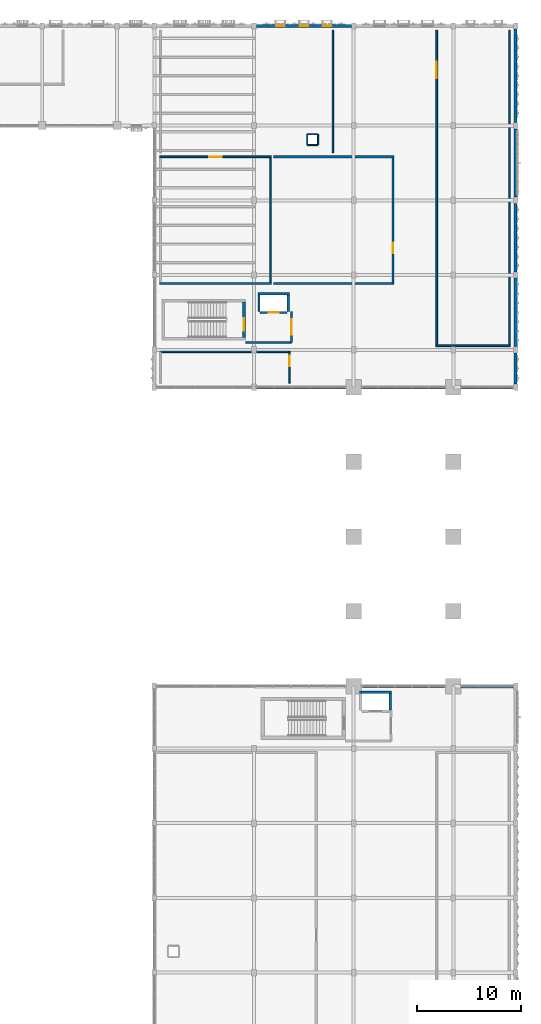
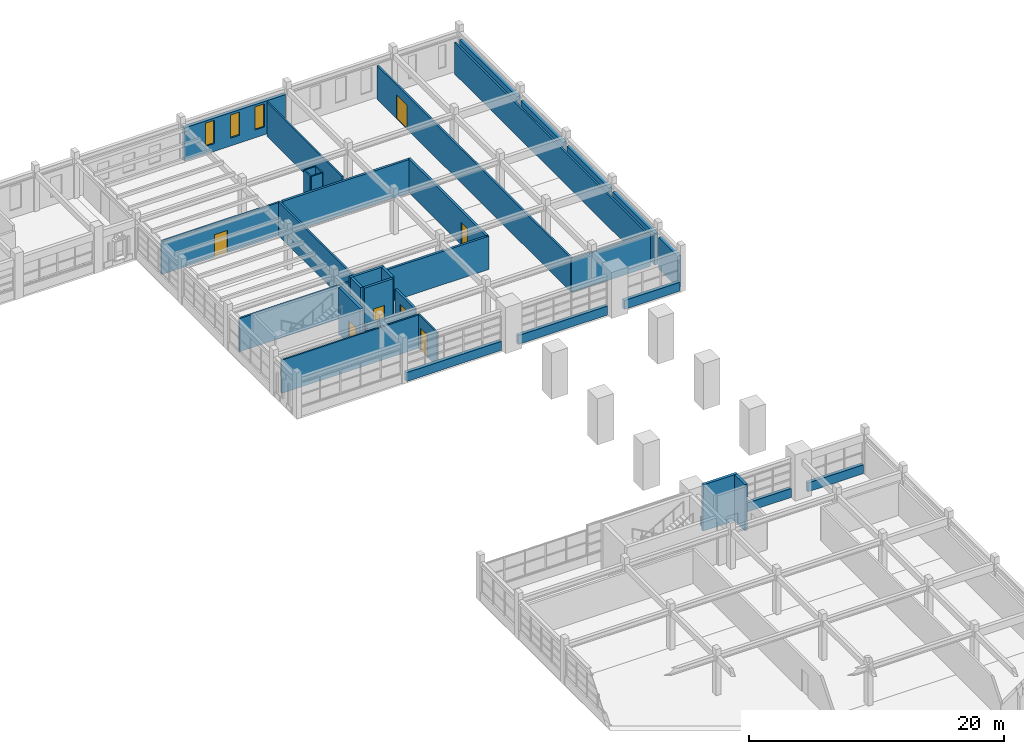
# One storey, part 50 of 69: 36 walls, 7 doors, 3 windows, 10 openings.
"""IFC4 building model written with IfcOpenShell, lengths in metres."""

from ifc_helpers import new_model, si_unit, direction, frame, frame_2d, origin, place, context, subcontext, project, spatial, rectangle, extrude, material, layer, layer_set, type_object, element, fill, save


model = new_model("IFC4")

# Units and contexts
model_context = context("Model", 3, precision=1e-05, world=origin(), true_north=direction((0.0, 1.0)))
body_context = subcontext(model_context, "Body", "Model", "MODEL_VIEW")
ifc_project = project(units=[si_unit("LENGTHUNIT", "METRE"), si_unit("AREAUNIT", "SQUARE_METRE"), si_unit("VOLUMEUNIT", "CUBIC_METRE"), si_unit("PLANEANGLEUNIT", "RADIAN"), si_unit("MASSUNIT", "GRAM", prefix="KILO")], contexts=[model_context])

# Site, building, storey
site_placement = place(None, origin())
site = spatial("IfcSite", under=ifc_project, at=site_placement, CompositionType="ELEMENT")
building_placement = place(site_placement, origin())
building = spatial("IfcBuilding", under=site, at=building_placement, Name="Nzembalo Square Collegiate School", CompositionType="ELEMENT")
storey_placement = place(building_placement, frame((0.0, 0.0, 5.10009765625)))
storey = spatial("IfcBuildingStorey", under=building, at=storey_placement, Name="L01", CompositionType="ELEMENT", Elevation=5.10009765625)

# Wall, opening, door
ifc_material_1 = material(Name="Concrete C35/45", Category="concrete")
ifc_layer_1 = layer(ifc_material_1, 0.260009765625, Name="Concrete C35/45")
ifc_layer_set_1 = layer_set([ifc_layer_1], Name="Concrete C35/45")
wall_type_1 = type_object("IfcWallType", Name="SW04", PredefinedType="SHEAR", material=ifc_layer_set_1)
wall_1_placement = place(storey_placement, frame((139.429931640625, 84.0, 0.0), z_axis=(0.0, 0.0, 1.0), x_axis=(0.0, 1.0, 0.0)))
wall_1 = element("IfcWall", 1, at=wall_1_placement, inside=storey, type_object=wall_type_1, Name="Core C4 stair shear wall E L01", PredefinedType="SHEAR", context=body_context, shape_type="SweptSolid", body=[
    extrude(rectangle(XDim=3.39990234375, YDim=0.260009765625, at=frame_2d((1.699951171875, 0.0))), origin(), (0.0, 0.0, 1.0), 4.419921875),
])
opening_1_placement = place(wall_1_placement, frame((0.64990234375, 0.0, 0.0)))
opening_1 = element("IfcOpeningElement", 2, at=opening_1_placement, cuts=wall_1, Name="Opening FD-034", PredefinedType="OPENING", context=body_context, shape_type="SweptSolid", body=[
    extrude(rectangle(XDim=1.199951171875, YDim=2.199951171875, at=frame_2d((0.60009765625, 1.10009765625))), frame((0.0, 0.14013671875, 0.0), z_axis=(0.0, -1.0, 0.0), x_axis=(1.0, 0.0, 0.0)), (0.0, 0.0, 1.0), 0.280029296875),
])
ifc_material_2 = material(Name="Fire-rated steel acoustic door", Category="steel")
door_type_1 = type_object("IfcDoorType", Name="FD01", OperationType="NOTDEFINED", PredefinedType="DOOR", material=ifc_material_2)
door_1_placement = place(opening_1_placement, origin())
door_1 = element("IfcDoor", 3, at=door_1_placement, inside=storey, type_object=door_type_1, Name="Stair fire door FD-034", OperationType="SINGLE_SWING_RIGHT", OverallHeight=2.199951171875, OverallWidth=1.199951171875, PredefinedType="DOOR", context=body_context, shape_type="SweptSolid", body=[
    extrude(rectangle(XDim=1.199951171875, YDim=2.199951171875, at=frame_2d((0.60009765625, 1.10009765625))), frame((0.0, 0.02490234375, 0.0), z_axis=(0.0, -1.0, 0.0), x_axis=(1.0, 0.0, 0.0)), (0.0, 0.0, 1.0), 0.050048828125),
])
fill(opening_1, door_1)

# Walls
ifc_material_3 = material(Name="Concrete C35/45", Category="concrete")
ifc_layer_2 = layer(ifc_material_3, 0.25, Name="Concrete C35/45")
ifc_layer_set_2 = layer_set([ifc_layer_2], Name="Concrete C35/45")
wall_type_2 = type_object("IfcWallType", Name="SW05", PredefinedType="SHEAR", material=ifc_layer_set_2)
wall_2_placement = place(storey_placement, frame((153.52490234375, 48.10009765625, 0.0), z_axis=(0.0, 0.0, 1.0), x_axis=(0.0, 1.0, 0.0)))
element("IfcWall", 4, at=wall_2_placement, inside=storey, type_object=wall_type_2, Name="Lift LF4 shaft wall E L01", PredefinedType="SHEAR", context=body_context, shape_type="SweptSolid", body=[
    extrude(rectangle(XDim=1.599853515625, YDim=0.25, at=frame_2d((0.7998046875, 0.0))), origin(), (0.0, 0.0, 1.0), 4.419921875),
])
wall_3_placement = place(storey_placement, frame((150.550048828125, 49.824951171875, 0.0), z_axis=(0.0, 0.0, 1.0), x_axis=(1.0, 0.0, 0.0)))
element("IfcWall", 5, at=wall_3_placement, inside=storey, type_object=wall_type_2, Name="Lift LF4 shaft wall N L01", PredefinedType="SHEAR", context=body_context, shape_type="SweptSolid", body=[
    extrude(rectangle(XDim=3.099853515625, YDim=0.25, at=frame_2d((1.5498046875, 0.0))), origin(), (0.0, 0.0, 1.0), 4.419921875),
])
ifc_material_4 = material(Name="Concrete C35/45", Category="concrete")
ifc_layer_3 = layer(ifc_material_4, 0.219970703125, Name="Concrete C35/45")
ifc_layer_set_3 = layer_set([ifc_layer_3], Name="Concrete C35/45")
wall_type_3 = type_object("IfcWallType", Name="SW08", PredefinedType="SHEAR", material=ifc_layer_set_3)
for number, where, z_axis, x_axis, name in (
    (6, (140.889892578125, 86.5, 0.0), (0.0, 0.0, 1.0), (0.0, 1.0, 0.0), "Lift LF3 shaft wall W L01"),
    (7, (143.7099609375, 86.5, 0.0), (0.0, 0.0, 1.0), (0.0, 1.0, 0.0), "Lift LF3 shaft wall E L01"),
):
    element("IfcWall", number, at=place(storey_placement, frame(where, z_axis=z_axis, x_axis=x_axis)), inside=storey, type_object=wall_type_3, Name=name, PredefinedType="SHEAR", context=body_context, shape_type="SweptSolid", body=[
        extrude(rectangle(XDim=1.60009765625, YDim=0.219970703125, at=frame_2d((0.800048828125, 0.0))), origin(), (0.0, 0.0, 1.0), 4.419921875),
    ])
wall_4_placement = place(storey_placement, frame((140.780029296875, 88.2099609375, 0.0), z_axis=(0.0, 0.0, 1.0), x_axis=(1.0, 0.0, 0.0)))
element("IfcWall", 8, at=wall_4_placement, inside=storey, type_object=wall_type_3, Name="Lift LF3 shaft wall N L01", PredefinedType="SHEAR", context=body_context, shape_type="SweptSolid", body=[
    extrude(rectangle(XDim=3.0400390625, YDim=0.219970703125, at=frame_2d((1.52001953125, 0.0))), origin(), (0.0, 0.0, 1.0), 4.419921875),
])

# Wall, opening, door
wall_5_placement = place(storey_placement, frame((141.0, 86.389892578125, 0.0), z_axis=(0.0, 0.0, 1.0), x_axis=(1.0, 0.0, 0.0)))
wall_5 = element("IfcWall", 9, at=wall_5_placement, inside=storey, type_object=wall_type_3, Name="Lift LF3 landing front wall L01", PredefinedType="SHEAR", context=body_context, shape_type="SweptSolid", body=[
    extrude(rectangle(XDim=2.60009765625, YDim=0.219970703125, at=frame_2d((1.300048828125, 0.0))), origin(), (0.0, 0.0, 1.0), 4.419921875),
])
opening_2_placement = place(wall_5_placement, frame((0.800048828125, 0.0, 0.0)))
opening_2 = element("IfcOpeningElement", 10, at=opening_2_placement, cuts=wall_5, Name="Opening LD-LF3-L01", PredefinedType="OPENING", context=body_context, shape_type="SweptSolid", body=[
    extrude(rectangle(XDim=1.0, YDim=2.14990234375, at=frame_2d((0.5, 1.074951171875))), frame((0.0, 0.1201171875, 0.0), z_axis=(0.0, -1.0, 0.0), x_axis=(1.0, 0.0, 0.0)), (0.0, 0.0, 1.0), 0.239990234375),
])
ifc_material_5 = material(Name="Stainless-steel sliding landing door", Category="steel")
door_type_2 = type_object("IfcDoorType", Name="LD02", OperationType="DOUBLE_DOOR_SLIDING", PredefinedType="DOOR", material=ifc_material_5)
door_2_placement = place(opening_2_placement, origin())
door_2 = element("IfcDoor", 11, at=door_2_placement, inside=storey, type_object=door_type_2, Name="Sliding lift landing door LD-LF3-L01", OperationType="DOUBLE_DOOR_SLIDING", OverallHeight=2.14990234375, OverallWidth=1.0, PredefinedType="DOOR", context=body_context, shape_type="SweptSolid", body=[
    extrude(rectangle(XDim=1.0, YDim=2.14990234375, at=frame_2d((0.5, 1.074951171875))), frame((0.0, 0.02490234375, 0.0), z_axis=(0.0, -1.0, 0.0), x_axis=(1.0, 0.0, 0.0)), (0.0, 0.0, 1.0), 0.050048828125),
])
fill(opening_2, door_2)

# Wall
ifc_material_6 = material(Name="Concrete C35/45", Category="concrete")
ifc_layer_4 = layer(ifc_material_6, 0.320068359375, Name="Concrete C35/45")
ifc_layer_set_4 = layer_set([ifc_layer_4], Name="Concrete C35/45")
wall_type_4 = type_object("IfcWallType", Name="W03", PredefinedType="SOLIDWALL", material=ifc_layer_set_4)
wall_6_placement = place(storey_placement, frame((160.35205078125, 50.39990234375, 0.0), z_axis=(0.0, 0.0, 1.0), x_axis=(1.0, 0.0, 0.0)))
element("IfcWall", 12, at=wall_6_placement, inside=storey, type_object=wall_type_4, Name="Spandrel wall W03 L01", PredefinedType="SOLIDWALL", context=body_context, shape_type="SweptSolid", body=[
    extrude(rectangle(XDim=5.02099609375, YDim=0.320068359375, at=frame_2d((2.510498046875, 0.0))), origin(), (0.0, 0.0, 1.0), 0.849853515625),
])

# Wall, openings, windows
wall_7_placement = place(storey_placement, frame((140.626953125, 114.0, 0.0), z_axis=(0.0, 0.0, 1.0), x_axis=(1.0, 0.0, 0.0)))
wall_7 = element("IfcWall", 13, at=wall_7_placement, inside=storey, type_object=wall_type_4, Name="Exterior wall W03 L01", PredefinedType="SOLIDWALL", context=body_context, shape_type="SweptSolid", body=[
    extrude(rectangle(XDim=9.14599609375, YDim=0.320068359375, at=frame_2d((4.572998046875, 0.0))), origin(), (0.0, 0.0, 1.0), 3.183837890625),
])
opening_3_placement = place(wall_7_placement, frame((1.8916015625, 0.0, 0.75)))
opening_3 = element("IfcOpeningElement", 14, at=opening_3_placement, cuts=wall_7, Name="Opening WN-L01-332", PredefinedType="OPENING", context=body_context, shape_type="SweptSolid", body=[
    extrude(rectangle(XDim=0.820068359375, YDim=2.219970703125, at=frame_2d((0.41015625, 1.10986328125))), frame((0.0, 0.169921875, 0.0), z_axis=(0.0, -1.0, 0.0), x_axis=(1.0, 0.0, 0.0)), (0.0, 0.0, 1.0), 0.340087890625),
])
opening_4_placement = place(wall_7_placement, frame((4.1630859375, 0.0, 0.75)))
opening_4 = element("IfcOpeningElement", 15, at=opening_4_placement, cuts=wall_7, Name="Opening WN-L01-333", PredefinedType="OPENING", context=body_context, shape_type="SweptSolid", body=[
    extrude(rectangle(XDim=0.820068359375, YDim=2.219970703125, at=frame_2d((0.41015625, 1.10986328125))), frame((0.0, 0.169921875, 0.0), z_axis=(0.0, -1.0, 0.0), x_axis=(1.0, 0.0, 0.0)), (0.0, 0.0, 1.0), 0.340087890625),
])
opening_5_placement = place(wall_7_placement, frame((6.39306640625, 0.0, 0.75)))
opening_5 = element("IfcOpeningElement", 16, at=opening_5_placement, cuts=wall_7, Name="Opening WN-L01-334", PredefinedType="OPENING", context=body_context, shape_type="SweptSolid", body=[
    extrude(rectangle(XDim=0.820068359375, YDim=2.219970703125, at=frame_2d((0.41015625, 1.10986328125))), frame((0.0, 0.169921875, 0.0), z_axis=(0.0, -1.0, 0.0), x_axis=(1.0, 0.0, 0.0)), (0.0, 0.0, 1.0), 0.340087890625),
])
ifc_material_7 = material(Name="Powder-coated aluminium and low-E double glazing", Category="aluminium")
window_type = type_object("IfcWindowType", Name="WN37", PartitioningType="SINGLE_PANEL", PredefinedType="WINDOW", material=ifc_material_7)
window_1_placement = place(opening_3_placement, origin())
window_1 = element("IfcWindow", 17, at=window_1_placement, inside=storey, type_object=window_type, Name="Lancet window WN-L01-332", OverallHeight=2.219970703125, OverallWidth=0.820068359375, PartitioningType="SINGLE_PANEL", PredefinedType="WINDOW", context=body_context, shape_type="SweptSolid", body=[
    extrude(rectangle(XDim=0.820068359375, YDim=2.219970703125, at=frame_2d((0.41015625, 1.10986328125))), frame((0.0, 0.030029296875, 0.0), z_axis=(0.0, -1.0, 0.0), x_axis=(1.0, 0.0, 0.0)), (0.0, 0.0, 1.0), 0.06005859375),
])
fill(opening_3, window_1)
window_2_placement = place(opening_4_placement, origin())
window_2 = element("IfcWindow", 18, at=window_2_placement, inside=storey, type_object=window_type, Name="Lancet window WN-L01-333", OverallHeight=2.219970703125, OverallWidth=0.820068359375, PartitioningType="SINGLE_PANEL", PredefinedType="WINDOW", context=body_context, shape_type="SweptSolid", body=[
    extrude(rectangle(XDim=0.820068359375, YDim=2.219970703125, at=frame_2d((0.41015625, 1.10986328125))), frame((0.0, 0.030029296875, 0.0), z_axis=(0.0, -1.0, 0.0), x_axis=(1.0, 0.0, 0.0)), (0.0, 0.0, 1.0), 0.06005859375),
])
fill(opening_4, window_2)
window_3_placement = place(opening_5_placement, origin())
window_3 = element("IfcWindow", 19, at=window_3_placement, inside=storey, type_object=window_type, Name="Lancet window WN-L01-334", OverallHeight=2.219970703125, OverallWidth=0.820068359375, PartitioningType="SINGLE_PANEL", PredefinedType="WINDOW", context=body_context, shape_type="SweptSolid", body=[
    extrude(rectangle(XDim=0.820068359375, YDim=2.219970703125, at=frame_2d((0.41015625, 1.10986328125))), frame((0.0, 0.030029296875, 0.0), z_axis=(0.0, -1.0, 0.0), x_axis=(1.0, 0.0, 0.0)), (0.0, 0.0, 1.0), 0.06005859375),
])
fill(opening_5, window_3)

# Walls
for number, where, z_axis, x_axis, name in (
    (20, (165.60009765625, 83.10205078125, 0.0), (0.0, 0.0, 1.0), (0.0, 1.0, 0.0), "Exterior wall W03 L01"),
    (21, (165.60009765625, 97.501953125, 0.0), (0.0, 0.0, 1.0), (0.0, 1.0, 0.0), "Exterior wall W03 L01"),
):
    element("IfcWall", number, at=place(storey_placement, frame(where, z_axis=z_axis, x_axis=x_axis)), inside=storey, type_object=wall_type_4, Name=name, PredefinedType="SOLIDWALL", context=body_context, shape_type="SweptSolid", body=[
        extrude(rectangle(XDim=6.595947265625, YDim=0.320068359375, at=frame_2d((3.2978515625, 0.0))), origin(), (0.0, 0.0, 1.0), 3.02392578125),
    ])
wall_8_placement = place(storey_placement, frame((140.626953125, 79.199951171875, 0.0), z_axis=(0.0, 0.0, 1.0), x_axis=(1.0, 0.0, 0.0)))
element("IfcWall", 22, at=wall_8_placement, inside=storey, type_object=wall_type_4, Name="Spandrel wall W03 L01", PredefinedType="SOLIDWALL", context=body_context, shape_type="SweptSolid", body=[
    extrude(rectangle(XDim=8.62109375, YDim=0.320068359375, at=frame_2d((4.310546875, 0.0))), origin(), (0.0, 0.0, 1.0), 0.849853515625),
])
wall_9_placement = place(storey_placement, frame((160.35205078125, 79.199951171875, 0.0), z_axis=(0.0, 0.0, 1.0), x_axis=(1.0, 0.0, 0.0)))
element("IfcWall", 23, at=wall_9_placement, inside=storey, type_object=wall_type_4, Name="Spandrel wall W03 L01", PredefinedType="SOLIDWALL", context=body_context, shape_type="SweptSolid", body=[
    extrude(rectangle(XDim=5.02099609375, YDim=0.320068359375, at=frame_2d((2.510498046875, 0.0))), origin(), (0.0, 0.0, 1.0), 0.849853515625),
])
ifc_material_8 = material(Name="Concrete C35/45", Category="concrete")
ifc_layer_5 = layer(ifc_material_8, 0.300048828125, Name="Concrete C35/45")
ifc_layer_set_5 = layer_set([ifc_layer_5], Name="Concrete C35/45")
wall_type_5 = type_object("IfcWallType", Name="W04", PredefinedType="SOLIDWALL", material=ifc_layer_set_5)
wall_10_placement = place(storey_placement, frame((150.751953125, 50.39990234375, 0.0), z_axis=(0.0, 0.0, 1.0), x_axis=(1.0, 0.0, 0.0)))
element("IfcWall", 24, at=wall_10_placement, inside=storey, type_object=wall_type_5, Name="Spandrel wall W04 L01", PredefinedType="SOLIDWALL", context=body_context, shape_type="SweptSolid", body=[
    extrude(rectangle(XDim=8.095947265625, YDim=0.300048828125, at=frame_2d((4.0478515625, 0.0))), origin(), (0.0, 0.0, 1.0), 0.849853515625),
])
wall_11_placement = place(storey_placement, frame((165.60009765625, 79.501953125, 0.0), z_axis=(0.0, 0.0, 1.0), x_axis=(0.0, 1.0, 0.0)))
element("IfcWall", 25, at=wall_11_placement, inside=storey, type_object=wall_type_5, Name="Exterior wall W04 L01", PredefinedType="SOLIDWALL", context=body_context, shape_type="SweptSolid", body=[
    extrude(rectangle(XDim=2.99609375, YDim=0.300048828125, at=frame_2d((1.498046875, 0.0))), origin(), (0.0, 0.0, 1.0), 3.02392578125),
])
wall_12_placement = place(storey_placement, frame((165.60009765625, 90.302001953125, 0.0), z_axis=(0.0, 0.0, 1.0), x_axis=(0.0, 1.0, 0.0)))
element("IfcWall", 26, at=wall_12_placement, inside=storey, type_object=wall_type_5, Name="Exterior wall W04 L01", PredefinedType="SOLIDWALL", context=body_context, shape_type="SweptSolid", body=[
    extrude(rectangle(XDim=6.595947265625, YDim=0.300048828125, at=frame_2d((3.2978515625, 0.0))), origin(), (0.0, 0.0, 1.0), 3.02392578125),
])
wall_13_placement = place(storey_placement, frame((165.60009765625, 104.701904296875, 0.0), z_axis=(0.0, 0.0, 1.0), x_axis=(0.0, 1.0, 0.0)))
element("IfcWall", 27, at=wall_13_placement, inside=storey, type_object=wall_type_5, Name="Exterior wall W04 L01", PredefinedType="SOLIDWALL", context=body_context, shape_type="SweptSolid", body=[
    extrude(rectangle(XDim=8.99609375, YDim=0.300048828125, at=frame_2d((4.498046875, 0.0))), origin(), (0.0, 0.0, 1.0), 3.02392578125),
])
wall_14_placement = place(storey_placement, frame((150.751953125, 79.199951171875, 0.0), z_axis=(0.0, 0.0, 1.0), x_axis=(1.0, 0.0, 0.0)))
element("IfcWall", 28, at=wall_14_placement, inside=storey, type_object=wall_type_5, Name="Spandrel wall W04 L01", PredefinedType="SOLIDWALL", context=body_context, shape_type="SweptSolid", body=[
    extrude(rectangle(XDim=8.095947265625, YDim=0.300048828125, at=frame_2d((4.0478515625, 0.0))), origin(), (0.0, 0.0, 1.0), 0.849853515625),
])

# Wall, opening, door
ifc_material_9 = material(Name="Concrete blockwork C25/30", Category="masonry")
ifc_layer_6 = layer(ifc_material_9, 0.199951171875, Name="Concrete blockwork C25/30")
ifc_layer_set_6 = layer_set([ifc_layer_6], Name="Concrete blockwork C25/30")
wall_type_6 = type_object("IfcWallType", Name="W11", PredefinedType="PARTITIONING", material=ifc_layer_set_6)
wall_15_placement = place(storey_placement, frame((144.0, 83.5, 0.0), z_axis=(0.0, 0.0, 1.0), x_axis=(0.0, 1.0, 0.0)))
wall_15 = element("IfcWall", 29, at=wall_15_placement, inside=storey, type_object=wall_type_6, Name="Core C4 EI 60 lobby wall E L01", PredefinedType="PARTITIONING", context=body_context, shape_type="SweptSolid", body=[
    extrude(rectangle(XDim=3.0, YDim=0.199951171875, at=frame_2d((1.5, 0.0))), origin(), (0.0, 0.0, 1.0), 3.183837890625),
])
opening_6_placement = place(wall_15_placement, frame((0.77490234375, 0.0, 0.0)))
opening_6 = element("IfcOpeningElement", 30, at=opening_6_placement, cuts=wall_15, Name="Opening FD-035", PredefinedType="OPENING", context=body_context, shape_type="SweptSolid", body=[
    extrude(rectangle(XDim=1.449951171875, YDim=2.199951171875, at=frame_2d((0.72509765625, 1.10009765625))), frame((0.0, 0.10986328125, 0.0), z_axis=(0.0, -1.0, 0.0), x_axis=(1.0, 0.0, 0.0)), (0.0, 0.0, 1.0), 0.219970703125),
])
ifc_material_10 = material(Name="Fire-rated double lobby door")
door_type_3 = type_object("IfcDoorType", Name="FD02", OperationType="DOUBLE_DOOR_SINGLE_SWING", PredefinedType="DOOR", material=ifc_material_10)
door_3_placement = place(opening_6_placement, frame((1.449951171875, 0.0, 0.0), z_axis=(0.0, 0.0, 1.0), x_axis=(-1.0, 0.0, 0.0)))
door_3 = element("IfcDoor", 31, at=door_3_placement, inside=storey, type_object=door_type_3, Name="Protected lobby fire door FD-035", OperationType="DOUBLE_DOOR_SINGLE_SWING", OverallHeight=2.199951171875, OverallWidth=1.449951171875, PredefinedType="DOOR", context=body_context, shape_type="SweptSolid", body=[
    extrude(rectangle(XDim=1.449951171875, YDim=2.199951171875, at=frame_2d((0.72509765625, 1.10009765625))), frame((0.0, 0.02490234375, 0.0), z_axis=(0.0, -1.0, 0.0), x_axis=(1.0, 0.0, 0.0)), (0.0, 0.0, 1.0), 0.050048828125),
])
fill(opening_6, door_3)

# Walls
wall_16_placement = place(storey_placement, frame((139.56005859375, 83.5, 0.0), z_axis=(0.0, 0.0, 1.0), x_axis=(1.0, 0.0, 0.0)))
element("IfcWall", 32, at=wall_16_placement, inside=storey, type_object=wall_type_6, Name="Core C4 EI 60 lobby wall S L01", PredefinedType="PARTITIONING", context=body_context, shape_type="SweptSolid", body=[
    extrude(rectangle(XDim=4.43994140625, YDim=0.199951171875, at=frame_2d((2.219970703125, 0.0))), origin(), (0.0, 0.0, 1.0), 3.183837890625),
])
ifc_material_11 = material(Name="Moisture-resistant acoustic stud")
ifc_layer_7 = layer(ifc_material_11, 0.1650390625, Name="Moisture-resistant acoustic stud")
ifc_layer_set_7 = layer_set([ifc_layer_7], Name="Moisture-resistant acoustic stud")
wall_type_7 = type_object("IfcWallType", Name="W15", PredefinedType="PARTITIONING", material=ifc_layer_set_7)
wall_17_placement = place(storey_placement, frame((131.3173828125, 89.199951171875, 0.0), z_axis=(0.0, 0.0, 1.0), x_axis=(1.0, 0.0, 0.0)))
element("IfcWall", 33, at=wall_17_placement, inside=storey, type_object=wall_type_7, Name="Interior partition W15 L01-038-S", PredefinedType="PARTITIONING", context=body_context, shape_type="SweptSolid", body=[
    extrude(rectangle(XDim=10.76513671875, YDim=0.1650390625, at=frame_2d((5.382568359375, 0.0))), origin(), (0.0, 0.0, 1.0), 3.183837890625),
])

# Wall, opening, door
wall_18_placement = place(storey_placement, frame((131.3173828125, 101.39990234375, 0.0), z_axis=(0.0, 0.0, 1.0), x_axis=(1.0, 0.0, 0.0)))
wall_18 = element("IfcWall", 34, at=wall_18_placement, inside=storey, type_object=wall_type_7, Name="Interior partition W15 L01-038-N", PredefinedType="PARTITIONING", context=body_context, shape_type="SweptSolid", body=[
    extrude(rectangle(XDim=10.76513671875, YDim=0.1650390625, at=frame_2d((5.382568359375, 0.0))), origin(), (0.0, 0.0, 1.0), 3.183837890625),
])
opening_7_placement = place(wall_18_placement, frame((4.79248046875, 0.0, 0.0)))
opening_7 = element("IfcOpeningElement", 35, at=opening_7_placement, cuts=wall_18, Name="Opening D-L01-045", PredefinedType="OPENING", context=body_context, shape_type="SweptSolid", body=[
    extrude(rectangle(XDim=1.179931640625, YDim=2.139892578125, at=frame_2d((0.58984375, 1.06982421875))), frame((0.0, 0.092529296875, 0.0), z_axis=(0.0, -1.0, 0.0), x_axis=(1.0, 0.0, 0.0)), (0.0, 0.0, 1.0), 0.18505859375),
])
ifc_material_12 = material(Name="Wide SEN therapy suite door")
door_type_4 = type_object("IfcDoorType", Name="D18", OperationType="NOTDEFINED", PredefinedType="DOOR", material=ifc_material_12)
door_4_placement = place(opening_7_placement, origin())
door_4 = element("IfcDoor", 36, at=door_4_placement, inside=storey, type_object=door_type_4, Name="Interior door D-L01-045 (SEN Inclusion and Therapy Hub)", OperationType="SINGLE_SWING_LEFT", OverallHeight=2.139892578125, OverallWidth=1.179931640625, PredefinedType="DOOR", context=body_context, shape_type="SweptSolid", body=[
    extrude(rectangle(XDim=1.179931640625, YDim=2.139892578125, at=frame_2d((0.58984375, 1.06982421875))), frame((0.0, 0.02490234375, 0.0), z_axis=(0.0, -1.0, 0.0), x_axis=(1.0, 0.0, 0.0)), (0.0, 0.0, 1.0), 0.050048828125),
])
fill(opening_7, door_4)

# Walls
wall_19_placement = place(storey_placement, frame((142.0, 89.199951171875, 0.0), z_axis=(0.0, 0.0, 1.0), x_axis=(0.0, 1.0, 0.0)))
element("IfcWall", 37, at=wall_19_placement, inside=storey, type_object=wall_type_7, Name="Interior partition W15 L01-038-E", PredefinedType="PARTITIONING", context=body_context, shape_type="SweptSolid", body=[
    extrude(rectangle(XDim=12.199951171875, YDim=0.1650390625, at=frame_2d((6.10009765625, 0.0))), origin(), (0.0, 0.0, 1.0), 3.243896484375),
])
wall_20_placement = place(storey_placement, frame((157.91748046875, 83.199951171875, 0.0), z_axis=(0.0, 0.0, 1.0), x_axis=(1.0, 0.0, 0.0)))
element("IfcWall", 38, at=wall_20_placement, inside=storey, type_object=wall_type_7, Name="Interior partition W15 L01-041-S", PredefinedType="PARTITIONING", context=body_context, shape_type="SweptSolid", body=[
    extrude(rectangle(XDim=7.1650390625, YDim=0.1650390625, at=frame_2d((3.58251953125, 0.0))), origin(), (0.0, 0.0, 1.0), 3.183837890625),
])

# Wall, opening, door
wall_21_placement = place(storey_placement, frame((158.0, 83.199951171875, 0.0), z_axis=(0.0, 0.0, 1.0), x_axis=(0.0, 1.0, 0.0)))
wall_21 = element("IfcWall", 39, at=wall_21_placement, inside=storey, type_object=wall_type_7, Name="Interior partition W15 L01-041-W", PredefinedType="PARTITIONING", context=body_context, shape_type="SweptSolid", body=[
    extrude(rectangle(XDim=30.400146484375, YDim=0.1650390625, at=frame_2d((15.2001953125, 0.0))), origin(), (0.0, 0.0, 1.0), 3.243896484375),
])
opening_8_placement = place(wall_21_placement, frame((25.741943359375, 0.0, 0.0)))
opening_8 = element("IfcOpeningElement", 40, at=opening_8_placement, cuts=wall_21, Name="Opening D-L01-048", PredefinedType="OPENING", context=body_context, shape_type="SweptSolid", body=[
    extrude(rectangle(XDim=1.6201171875, YDim=2.320068359375, at=frame_2d((0.81005859375, 1.16015625))), frame((0.0, 0.092529296875, 0.0), z_axis=(0.0, -1.0, 0.0), x_axis=(1.0, 0.0, 0.0)), (0.0, 0.0, 1.0), 0.18505859375),
])
ifc_material_13 = material(Name="Acoustic exam studio double door")
door_type_5 = type_object("IfcDoorType", Name="D19", OperationType="DOUBLE_DOOR_SINGLE_SWING", PredefinedType="DOOR", material=ifc_material_13)
door_5_placement = place(opening_8_placement, origin())
door_5 = element("IfcDoor", 41, at=door_5_placement, inside=storey, type_object=door_type_5, Name="Interior door D-L01-048 (Digital Media and Computing Commons)", OperationType="DOUBLE_DOOR_SINGLE_SWING", OverallHeight=2.320068359375, OverallWidth=1.6201171875, PredefinedType="DOOR", context=body_context, shape_type="SweptSolid", body=[
    extrude(rectangle(XDim=1.6201171875, YDim=2.320068359375, at=frame_2d((0.81005859375, 1.16015625))), frame((0.0, 0.02490234375, 0.0), z_axis=(0.0, -1.0, 0.0), x_axis=(1.0, 0.0, 0.0)), (0.0, 0.0, 1.0), 0.050048828125),
])
fill(opening_8, door_5)

# Walls
wall_22_placement = place(storey_placement, frame((165.0, 83.199951171875, 0.0), z_axis=(0.0, 0.0, 1.0), x_axis=(0.0, 1.0, 0.0)))
element("IfcWall", 42, at=wall_22_placement, inside=storey, type_object=wall_type_7, Name="Interior partition W15 L01-041-E", PredefinedType="PARTITIONING", context=body_context, shape_type="SweptSolid", body=[
    extrude(rectangle(XDim=30.400146484375, YDim=0.1650390625, at=frame_2d((15.2001953125, 0.0))), origin(), (0.0, 0.0, 1.0), 3.02392578125),
])
ifc_material_14 = material(Name="Cement-board wet-room partition")
ifc_layer_8 = layer(ifc_material_14, 0.135009765625, Name="Cement-board wet-room partition")
ifc_layer_set_8 = layer_set([ifc_layer_8], Name="Cement-board wet-room partition")
wall_type_8 = type_object("IfcWallType", Name="W19", PredefinedType="PARTITIONING", material=ifc_layer_set_8)
wall_23_placement = place(storey_placement, frame((148.0, 101.800048828125, 0.0), z_axis=(0.0, 0.0, 1.0), x_axis=(0.0, 1.0, 0.0)))
element("IfcWall", 43, at=wall_23_placement, inside=storey, type_object=wall_type_8, Name="Interior partition W19 L01-039-E", PredefinedType="PARTITIONING", context=body_context, shape_type="SweptSolid", body=[
    extrude(rectangle(XDim=11.800048828125, YDim=0.135009765625, at=frame_2d((5.89990234375, 0.0))), origin(), (0.0, 0.0, 1.0), 3.243896484375),
])
wall_24_placement = place(storey_placement, frame((131.33251953125, 82.60009765625, 0.0), z_axis=(0.0, 0.0, 1.0), x_axis=(1.0, 0.0, 0.0)))
element("IfcWall", 44, at=wall_24_placement, inside=storey, type_object=wall_type_8, Name="Interior partition W19 L01-042-N", PredefinedType="PARTITIONING", context=body_context, shape_type="SweptSolid", body=[
    extrude(rectangle(XDim=12.534912109375, YDim=0.135009765625, at=frame_2d((6.267578125, 0.0))), origin(), (0.0, 0.0, 1.0), 3.183837890625),
])

# Wall, opening, door
wall_25_placement = place(storey_placement, frame((143.800048828125, 79.60009765625, 0.0), z_axis=(0.0, 0.0, 1.0), x_axis=(0.0, 1.0, 0.0)))
wall_25 = element("IfcWall", 45, at=wall_25_placement, inside=storey, type_object=wall_type_8, Name="Interior partition W19 L01-042-E", PredefinedType="PARTITIONING", context=body_context, shape_type="SweptSolid", body=[
    extrude(rectangle(XDim=3.0, YDim=0.135009765625, at=frame_2d((1.5, 0.0))), origin(), (0.0, 0.0, 1.0), 3.243896484375),
])
opening_9_placement = place(wall_25_placement, frame((1.60400390625, 0.0, 0.0)))
opening_9 = element("IfcOpeningElement", 46, at=opening_9_placement, cuts=wall_25, Name="Opening D-L01-049", PredefinedType="OPENING", context=body_context, shape_type="SweptSolid", body=[
    extrude(rectangle(XDim=1.0400390625, YDim=2.1201171875, at=frame_2d((0.52001953125, 1.06005859375))), frame((0.0, 0.07763671875, 0.0), z_axis=(0.0, -1.0, 0.0), x_axis=(1.0, 0.0, 0.0)), (0.0, 0.0, 1.0), 0.155029296875),
])
ifc_material_15 = material(Name="Accessible outward-swing WC door")
door_type_6 = type_object("IfcDoorType", Name="D09", OperationType="NOTDEFINED", PredefinedType="DOOR", material=ifc_material_15)
door_6_placement = place(opening_9_placement, origin())
door_6 = element("IfcDoor", 47, at=door_6_placement, inside=storey, type_object=door_type_6, Name="Interior door D-L01-049 (East L01 Boys', Girls' and Wheelchair Accessible WCs)", OperationType="SINGLE_SWING_LEFT", OverallHeight=2.1201171875, OverallWidth=1.0400390625, PredefinedType="DOOR", context=body_context, shape_type="SweptSolid", body=[
    extrude(rectangle(XDim=1.0400390625, YDim=2.1201171875, at=frame_2d((0.52001953125, 1.06005859375))), frame((0.0, 0.02490234375, 0.0), z_axis=(0.0, -1.0, 0.0), x_axis=(1.0, 0.0, 0.0)), (0.0, 0.0, 1.0), 0.050048828125),
])
fill(opening_9, door_6)

# Walls
ifc_material_16 = material(Name="Concrete blockwork C25/30", Category="masonry")
ifc_layer_9 = layer(ifc_material_16, 0.205078125, Name="Concrete blockwork C25/30")
ifc_layer_set_9 = layer_set([ifc_layer_9], Name="Concrete blockwork C25/30")
wall_type_9 = type_object("IfcWallType", Name="W21", PredefinedType="PARTITIONING", material=ifc_layer_set_9)
for number, where, z_axis, x_axis, name in (
    (48, (142.297607421875, 89.199951171875, 0.0), (0.0, 0.0, 1.0), (1.0, 0.0, 0.0), "Interior partition W21 L01-040-S"),
    (49, (142.297607421875, 101.39990234375, 0.0), (0.0, 0.0, 1.0), (1.0, 0.0, 0.0), "Interior partition W21 L01-040-N"),
):
    element("IfcWall", number, at=place(storey_placement, frame(where, z_axis=z_axis, x_axis=x_axis)), inside=storey, type_object=wall_type_9, Name=name, PredefinedType="PARTITIONING", context=body_context, shape_type="SweptSolid", body=[
        extrude(rectangle(XDim=11.60498046875, YDim=0.205078125, at=frame_2d((5.802490234375, 0.0))), origin(), (0.0, 0.0, 1.0), 3.183837890625),
    ])

# Wall, opening, door
wall_26_placement = place(storey_placement, frame((153.800048828125, 89.199951171875, 0.0), z_axis=(0.0, 0.0, 1.0), x_axis=(0.0, 1.0, 0.0)))
wall_26 = element("IfcWall", 50, at=wall_26_placement, inside=storey, type_object=wall_type_9, Name="Interior partition W21 L01-040-E", PredefinedType="PARTITIONING", context=body_context, shape_type="SweptSolid", body=[
    extrude(rectangle(XDim=12.199951171875, YDim=0.205078125, at=frame_2d((6.10009765625, 0.0))), origin(), (0.0, 0.0, 1.0), 3.243896484375),
])
opening_10_placement = place(wall_26_placement, frame((2.887451171875, 0.0, 0.0)))
opening_10 = element("IfcOpeningElement", 51, at=opening_10_placement, cuts=wall_26, Name="Opening D-L01-047", PredefinedType="OPENING", context=body_context, shape_type="SweptSolid", body=[
    extrude(rectangle(XDim=1.050048828125, YDim=2.14990234375, at=frame_2d((0.52490234375, 1.074951171875))), frame((0.0, 0.112548828125, 0.0), z_axis=(0.0, -1.0, 0.0), x_axis=(1.0, 0.0, 0.0)), (0.0, 0.0, 1.0), 0.22509765625),
])
ifc_material_17 = material(Name="Fire-rated steel store door", Category="steel")
door_type_7 = type_object("IfcDoorType", Name="FD03", OperationType="NOTDEFINED", PredefinedType="DOOR", material=ifc_material_17)
door_7_placement = place(opening_10_placement, origin())
door_7 = element("IfcDoor", 52, at=door_7_placement, inside=storey, type_object=door_type_7, Name="Interior door D-L01-047 (SEN Small-Group Resource Suite)", OperationType="SINGLE_SWING_RIGHT", OverallHeight=2.14990234375, OverallWidth=1.050048828125, PredefinedType="DOOR", context=body_context, shape_type="SweptSolid", body=[
    extrude(rectangle(XDim=1.050048828125, YDim=2.14990234375, at=frame_2d((0.52490234375, 1.074951171875))), frame((0.0, 0.02490234375, 0.0), z_axis=(0.0, -1.0, 0.0), x_axis=(1.0, 0.0, 0.0)), (0.0, 0.0, 1.0), 0.050048828125),
])
fill(opening_10, door_7)

# Walls
ifc_material_18 = material(Name="Fire-rated shaftwall stud")
ifc_layer_10 = layer(ifc_material_18, 0.1201171875, Name="Fire-rated shaftwall stud")
ifc_layer_set_10 = layer_set([ifc_layer_10], Name="Fire-rated shaftwall stud")
wall_type_10 = type_object("IfcWallType", Name="W23", PredefinedType="PARTITIONING", material=ifc_layer_set_10)
for number, where, z_axis, x_axis, name in (
    (53, (145.5400390625, 102.5400390625, 0.0), (0.0, 0.0, 1.0), (1.0, 0.0, 0.0), "Service riser shaftwall W23-013-1"),
    (54, (146.56005859375, 102.5400390625, 0.0), (0.0, 0.0, 1.0), (0.0, 1.0, 0.0), "Service riser shaftwall W23-013-2"),
    (55, (146.56005859375, 103.56005859375, 0.0), (0.0, 0.0, 1.0), (-1.0, 0.0, 0.0), "Service riser shaftwall W23-013-3"),
    (56, (145.5400390625, 103.56005859375, 0.0), (0.0, 0.0, 1.0), (0.0, -1.0, 0.0), "Service riser shaftwall W23-013-4"),
):
    element("IfcWall", number, at=place(storey_placement, frame(where, z_axis=z_axis, x_axis=x_axis)), inside=storey, type_object=wall_type_10, Name=name, PredefinedType="PARTITIONING", context=body_context, shape_type="SweptSolid", body=[
        extrude(rectangle(XDim=1.02001953125, YDim=0.1201171875, at=frame_2d((0.510009765625, 0.0))), origin(), (0.0, 0.0, 1.0), 3.69384765625),
    ])

save(model, "model.ifc")
